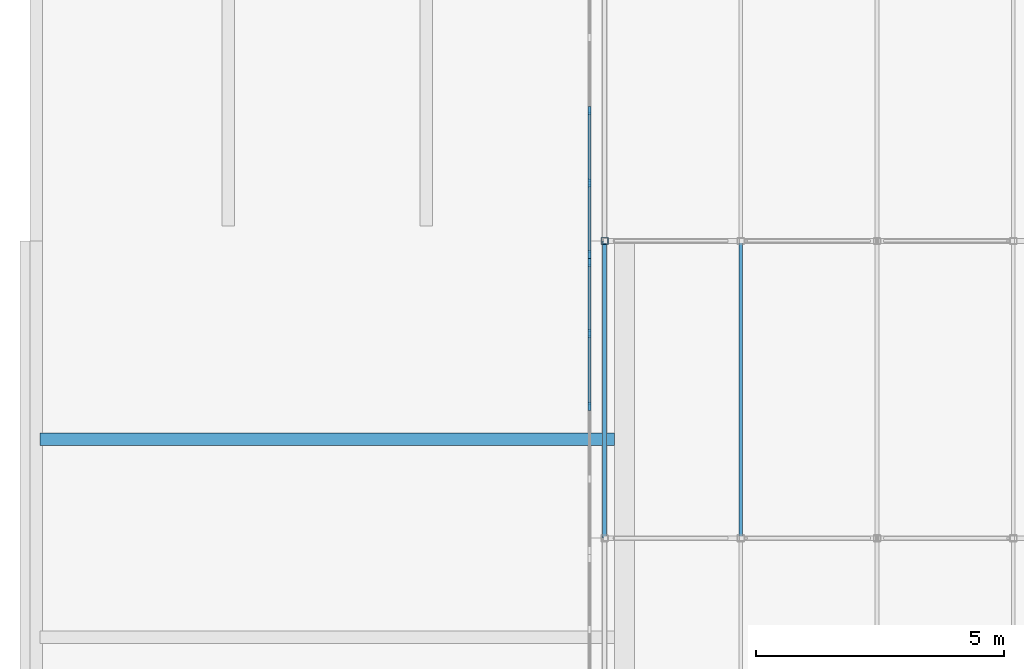
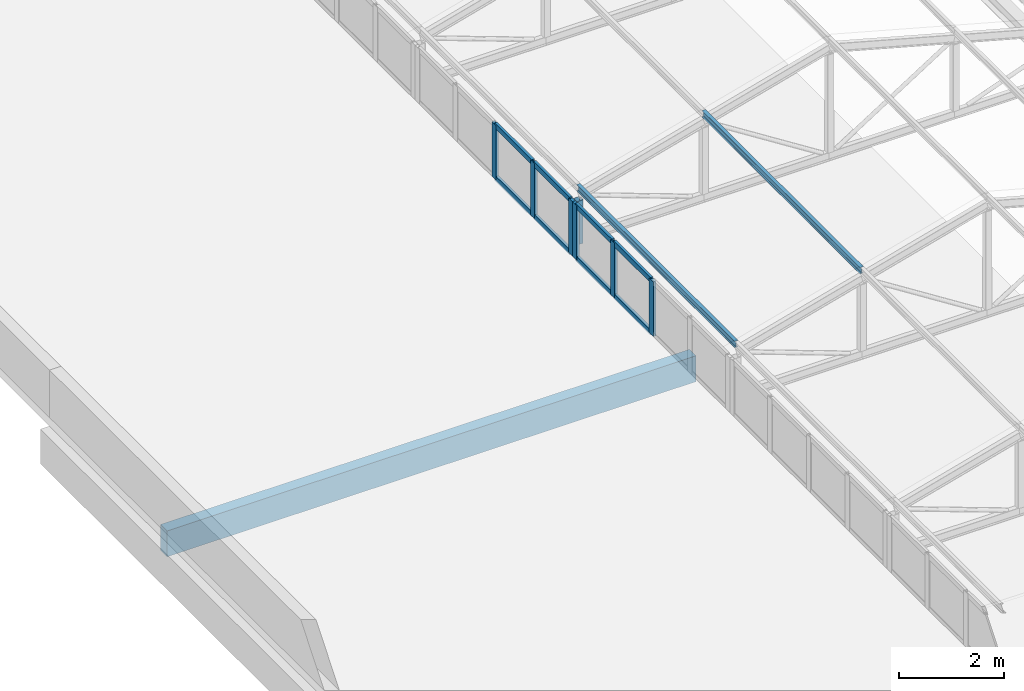
# One storey, part 56 of 94: 17 members, 1 beam, 2 elements without a shape of their own.
"""IFC4 building model written with IfcOpenShell, lengths in metres."""

from ifc_helpers import new_model, si_unit, direction, frame, origin, origin_2d, place, context, subcontext, project, spatial, rectangle, hollow_rectangle, i_section, extrude, material, layer, layer_set, material_profile, profile_set, type_object, element, aggregate, save


model = new_model("IFC4")

# Units and contexts
model_context = context("Model", 3, precision=1e-05, world=origin(), true_north=direction((0.0, 1.0)))
body_context = subcontext(model_context, "Body", "Model", "MODEL_VIEW")
ifc_project = project(units=[si_unit("LENGTHUNIT", "METRE"), si_unit("AREAUNIT", "SQUARE_METRE"), si_unit("VOLUMEUNIT", "CUBIC_METRE"), si_unit("PLANEANGLEUNIT", "RADIAN"), si_unit("MASSUNIT", "GRAM", prefix="KILO")], contexts=[model_context])

# Site, building, storey
site_placement = place(None, origin())
site = spatial("IfcSite", under=ifc_project, at=site_placement, CompositionType="ELEMENT")
building_placement = place(site_placement, origin())
building = spatial("IfcBuilding", under=site, at=building_placement, Name="Lilac Gate Convention Centre", CompositionType="ELEMENT")
storey_placement = place(building_placement, frame((0.0, 0.0, 21.0)))
storey = spatial("IfcBuildingStorey", under=building, at=storey_placement, Name="L04", CompositionType="ELEMENT", Elevation=21.0)

# Curtain wall, members
ifc_material_1 = material(Name="Aluminium framed double glazing", Category="aluminium")
ifc_layer = layer(ifc_material_1, 0.199951171875)
ifc_layer_set = layer_set([ifc_layer], Name="Aluminium framed double glazing")
curtain_wall_type = type_object("IfcCurtainWallType", Name="Unitised curtain wall 1500", PredefinedType="NOTDEFINED", material=ifc_layer_set)
curtain_wall_1_placement = place(storey_placement, origin())
curtain_wall_1 = element("IfcCurtainWall", 1, at=curtain_wall_1_placement, inside=storey, type_object=curtain_wall_type, Name="Lantern clerestory W 30", PredefinedType="NOTDEFINED")
ifc_material_2 = material(Name="Aluminium alloy 6063", Category="aluminium")
ifc_material_profile_1 = material_profile(ifc_material_2, rectangle(XDim=0.06005859375, YDim=0.159912109375, at=origin_2d()), Name="Curtain wall mullion 60 x 160")
ifc_profile_set_1 = profile_set([ifc_material_profile_1], Name="Aluminium alloy 6063")
member_type_1 = type_object("IfcMemberType", Name="Curtain wall mullion 60 x 160", PredefinedType="MULLION", material=ifc_profile_set_1)
member_1_placement = place(storey_placement, frame((17.300048828125, 206.66259765625, 0.0), z_axis=(0.0, 0.0, 1.0), x_axis=(-1.0, 0.0, 0.0)))
member_1 = element("IfcMember", 2, at=member_1_placement, type_object=member_type_1, Name="CW mullion 3", PredefinedType="MULLION", context=body_context, shape_type="SweptSolid", body=[
    extrude(rectangle(XDim=0.06005859375, YDim=0.159912109375, at=origin_2d()), origin(), (0.0, 0.0, 1.0), 1.272216796875),
])
member_2_placement = place(storey_placement, frame((17.300048828125, 208.13134765625, 0.0), z_axis=(0.0, 0.0, 1.0), x_axis=(-1.0, 0.0, 0.0)))
member_2 = element("IfcMember", 3, at=member_2_placement, type_object=member_type_1, Name="CW mullion 4", PredefinedType="MULLION", context=body_context, shape_type="SweptSolid", body=[
    extrude(rectangle(XDim=0.06005859375, YDim=0.159912109375, at=origin_2d()), origin(), (0.0, 0.0, 1.0), 1.272216796875),
])
member_3_placement = place(storey_placement, frame((17.300048828125, 209.570068359375, 0.0), z_axis=(0.0, 0.0, 1.0), x_axis=(-1.0, 0.0, 0.0)))
member_3 = element("IfcMember", 4, at=member_3_placement, type_object=member_type_1, Name="CW mullion 5", PredefinedType="MULLION", context=body_context, shape_type="SweptSolid", body=[
    extrude(rectangle(XDim=0.06005859375, YDim=0.159912109375, at=origin_2d()), origin(), (0.0, 0.0, 1.0), 1.272216796875),
])

curtain_wall_2_placement = place(storey_placement, origin())
curtain_wall_2 = element("IfcCurtainWall", 5, at=curtain_wall_2_placement, inside=storey, type_object=curtain_wall_type, Name="Lantern clerestory W 31", PredefinedType="NOTDEFINED")
member_4_placement = place(storey_placement, frame((17.300048828125, 209.72998046875, 0.0), z_axis=(0.0, 0.0, 1.0), x_axis=(-1.0, 0.0, 0.0)))
member_4 = element("IfcMember", 6, at=member_4_placement, type_object=member_type_1, Name="CW mullion 1", PredefinedType="MULLION", context=body_context, shape_type="SweptSolid", body=[
    extrude(rectangle(XDim=0.06005859375, YDim=0.159912109375, at=origin_2d()), origin(), (0.0, 0.0, 1.0), 1.272216796875),
])
member_5_placement = place(storey_placement, frame((17.300048828125, 211.168701171875, 0.0), z_axis=(0.0, 0.0, 1.0), x_axis=(-1.0, 0.0, 0.0)))
member_5 = element("IfcMember", 7, at=member_5_placement, type_object=member_type_1, Name="CW mullion 2", PredefinedType="MULLION", context=body_context, shape_type="SweptSolid", body=[
    extrude(rectangle(XDim=0.06005859375, YDim=0.159912109375, at=origin_2d()), origin(), (0.0, 0.0, 1.0), 1.272216796875),
])
member_6_placement = place(storey_placement, frame((17.300048828125, 212.637451171875, 0.0), z_axis=(0.0, 0.0, 1.0), x_axis=(-1.0, 0.0, 0.0)))
member_6 = element("IfcMember", 8, at=member_6_placement, type_object=member_type_1, Name="CW mullion 3", PredefinedType="MULLION", context=body_context, shape_type="SweptSolid", body=[
    extrude(rectangle(XDim=0.06005859375, YDim=0.159912109375, at=origin_2d()), origin(), (0.0, 0.0, 1.0), 1.272216796875),
])

# Member
ifc_material_profile_2 = material_profile(ifc_material_2, rectangle(XDim=0.06005859375, YDim=0.1201171875, at=origin_2d()), Name="Curtain wall transom 60 x 120")
ifc_profile_set_2 = profile_set([ifc_material_profile_2], Name="Aluminium alloy 6063")
member_type_2 = type_object("IfcMemberType", Name="Curtain wall transom 60 x 120", PredefinedType="USERDEFINED", material=ifc_profile_set_2)
member_7_placement = place(storey_placement, frame((17.300048828125, 206.692626953125, 0.030029296875), z_axis=(0.0, 1.0, 0.0), x_axis=(-1.0, 0.0, 0.0)))
member_7 = element("IfcMember", 9, at=member_7_placement, type_object=member_type_2, Name="CW transom 3.1", ObjectType="TRANSOM", PredefinedType="USERDEFINED", context=body_context, shape_type="SweptSolid", body=[
    extrude(rectangle(XDim=0.06005859375, YDim=0.1201171875, at=origin_2d()), origin(), (0.0, 0.0, 1.0), 1.40869140625),
])

member_8_placement = place(storey_placement, frame((17.300048828125, 206.692626953125, 1.2421875), z_axis=(0.0, 1.0, 0.0), x_axis=(-1.0, 0.0, 0.0)))
member_8 = element("IfcMember", 10, at=member_8_placement, type_object=member_type_2, Name="CW transom 3.2", ObjectType="TRANSOM", PredefinedType="USERDEFINED", context=body_context, shape_type="SweptSolid", body=[
    extrude(rectangle(XDim=0.06005859375, YDim=0.1201171875, at=origin_2d()), origin(), (0.0, 0.0, 1.0), 1.40869140625),
])

member_9_placement = place(storey_placement, frame((17.300048828125, 208.161376953125, 0.030029296875), z_axis=(0.0, 1.0, 0.0), x_axis=(-1.0, 0.0, 0.0)))
member_9 = element("IfcMember", 11, at=member_9_placement, type_object=member_type_2, Name="CW transom 4.1", ObjectType="TRANSOM", PredefinedType="USERDEFINED", context=body_context, shape_type="SweptSolid", body=[
    extrude(rectangle(XDim=0.06005859375, YDim=0.1201171875, at=origin_2d()), origin(), (0.0, 0.0, 1.0), 1.378662109375),
])

member_10_placement = place(storey_placement, frame((17.300048828125, 208.161376953125, 1.2421875), z_axis=(0.0, 1.0, 0.0), x_axis=(-1.0, 0.0, 0.0)))
member_10 = element("IfcMember", 12, at=member_10_placement, type_object=member_type_2, Name="CW transom 4.2", ObjectType="TRANSOM", PredefinedType="USERDEFINED", context=body_context, shape_type="SweptSolid", body=[
    extrude(rectangle(XDim=0.06005859375, YDim=0.1201171875, at=origin_2d()), origin(), (0.0, 0.0, 1.0), 1.378662109375),
])

aggregate(curtain_wall_1, [member_1, member_2, member_3, member_7, member_8, member_9, member_10])

member_11_placement = place(storey_placement, frame((17.300048828125, 209.760009765625, 0.030029296875), z_axis=(0.0, 1.0, 0.0), x_axis=(-1.0, 0.0, 0.0)))
member_11 = element("IfcMember", 13, at=member_11_placement, type_object=member_type_2, Name="CW transom 1.1", ObjectType="TRANSOM", PredefinedType="USERDEFINED", context=body_context, shape_type="SweptSolid", body=[
    extrude(rectangle(XDim=0.06005859375, YDim=0.1201171875, at=origin_2d()), origin(), (0.0, 0.0, 1.0), 1.378662109375),
])

member_12_placement = place(storey_placement, frame((17.300048828125, 209.760009765625, 1.2421875), z_axis=(0.0, 1.0, 0.0), x_axis=(-1.0, 0.0, 0.0)))
member_12 = element("IfcMember", 14, at=member_12_placement, type_object=member_type_2, Name="CW transom 1.2", ObjectType="TRANSOM", PredefinedType="USERDEFINED", context=body_context, shape_type="SweptSolid", body=[
    extrude(rectangle(XDim=0.06005859375, YDim=0.1201171875, at=origin_2d()), origin(), (0.0, 0.0, 1.0), 1.378662109375),
])

member_13_placement = place(storey_placement, frame((17.300048828125, 211.19873046875, 0.030029296875), z_axis=(0.0, 1.0, 0.0), x_axis=(-1.0, 0.0, 0.0)))
member_13 = element("IfcMember", 15, at=member_13_placement, type_object=member_type_2, Name="CW transom 2.1", ObjectType="TRANSOM", PredefinedType="USERDEFINED", context=body_context, shape_type="SweptSolid", body=[
    extrude(rectangle(XDim=0.06005859375, YDim=0.1201171875, at=origin_2d()), origin(), (0.0, 0.0, 1.0), 1.40869140625),
])

member_14_placement = place(storey_placement, frame((17.300048828125, 211.19873046875, 1.2421875), z_axis=(0.0, 1.0, 0.0), x_axis=(-1.0, 0.0, 0.0)))
member_14 = element("IfcMember", 16, at=member_14_placement, type_object=member_type_2, Name="CW transom 2.2", ObjectType="TRANSOM", PredefinedType="USERDEFINED", context=body_context, shape_type="SweptSolid", body=[
    extrude(rectangle(XDim=0.06005859375, YDim=0.1201171875, at=origin_2d()), origin(), (0.0, 0.0, 1.0), 1.40869140625),
])

aggregate(curtain_wall_2, [member_4, member_5, member_6, member_11, member_12, member_13, member_14])

# Members
ifc_material_3 = material(Name="Steel Q355B", Category="steel")
ifc_material_profile_3 = material_profile(ifc_material_3, hollow_rectangle(XDim=0.139892578125, YDim=0.139892578125, WallThickness=0.0048828125, InnerFilletRadius=0.0048828125, OuterFilletRadius=0.010009765625, at=origin_2d()), Name="SHS140x140x5")
ifc_profile_set_3 = profile_set([ifc_material_profile_3], Name="Steel Q355B")
member_type_3 = type_object("IfcMemberType", Name="Lantern post SHS140x140x5", PredefinedType="STRUT", material=ifc_profile_set_3)
member_15_placement = place(storey_placement, frame((17.60009765625, 210.0, 0.0), z_axis=(0.0, 0.0, 1.0), x_axis=(1.0, 0.0, 0.0)))
element("IfcMember", 17, at=member_15_placement, inside=storey, type_object=member_type_3, Name="LV1 lantern truss 31 post 1", PredefinedType="STRUT", context=body_context, shape_type="SweptSolid", body=[
    extrude(hollow_rectangle(XDim=0.139892578125, YDim=0.139892578125, WallThickness=0.0048828125, InnerFilletRadius=0.0048828125, OuterFilletRadius=0.010009765625, at=origin_2d()), origin(), (0.0, 0.0, 1.0), 1.001953125),
])
ifc_material_profile_4 = material_profile(ifc_material_3, i_section(OverallWidth=0.074951171875, OverallDepth=0.14990234375, WebThickness=0.0048828125, FlangeThickness=0.007080078125, FilletRadius=0.008056640625, at=origin_2d()), Name="HN150x75x5x7")
ifc_profile_set_4 = profile_set([ifc_material_profile_4], Name="Steel Q355B")
member_type_4 = type_object("IfcMemberType", Name="Lantern purlin HN150x75x5x7", PredefinedType="PURLIN", material=ifc_profile_set_4)
for number, where, z_axis, x_axis, name in (
    (18, (17.60009765625, 204.0, 1.279052734375), (0.0, 1.0, 0.0), (-1.0, 0.0, 0.0), "LP1 lantern purlin bay 30 line 1"),
    (19, (20.35009765625, 204.0, 2.029052734375), (0.0, 1.0, 0.0), (-1.0, 0.0, 0.0), "LP1 lantern purlin bay 30 line 2"),
):
    element("IfcMember", number, at=place(storey_placement, frame(where, z_axis=z_axis, x_axis=x_axis)), inside=storey, type_object=member_type_4, Name=name, PredefinedType="PURLIN", context=body_context, shape_type="SweptSolid", body=[
        extrude(i_section(OverallWidth=0.074951171875, OverallDepth=0.14990234375, WebThickness=0.0048828125, FlangeThickness=0.007080078125, FilletRadius=0.008056640625, at=origin_2d()), origin(), (0.0, 0.0, 1.0), 6.0),
    ])

# Beam
ifc_material_4 = material(Name="Concrete C40", Category="concrete")
ifc_material_profile_5 = material_profile(ifc_material_4, rectangle(XDim=0.25, YDim=0.60009765625, at=origin_2d()), Name="RC 250x600")
ifc_profile_set_5 = profile_set([ifc_material_profile_5], Name="Concrete C40")
beam_type = type_object("IfcBeamType", Name="Tower secondary beam 250x600 C40", PredefinedType="BEAM", material=ifc_profile_set_5)
beam_placement = place(storey_placement, frame((6.199951171875, 206.0, -0.5), z_axis=(1.0, 0.0, 0.0), x_axis=(0.0, 1.0, 0.0)))
element("IfcBeam", 20, at=beam_placement, inside=storey, type_object=beam_type, Name="RB4 L04 bay 1/Q", PredefinedType="BEAM", context=body_context, shape_type="SweptSolid", body=[
    extrude(rectangle(XDim=0.25, YDim=0.60009765625, at=origin_2d()), origin(), (0.0, 0.0, 1.0), 11.60009765625),
])

save(model, "model.ifc")
